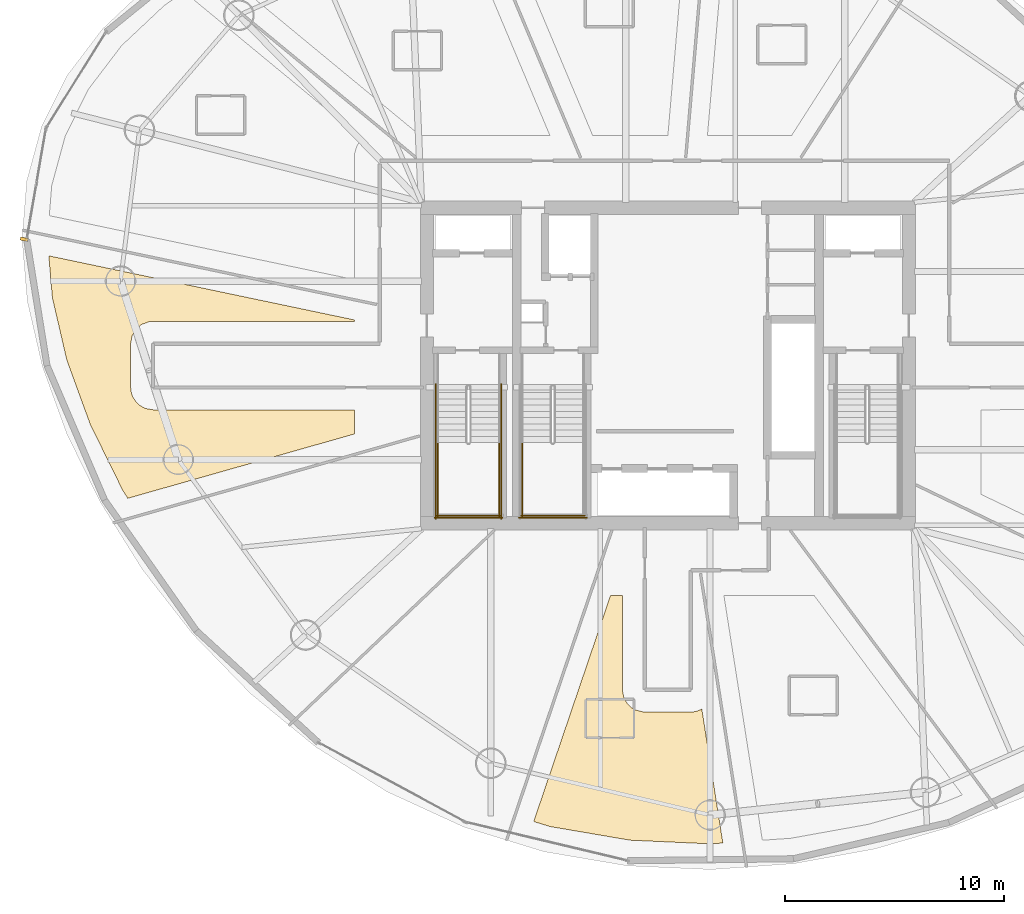
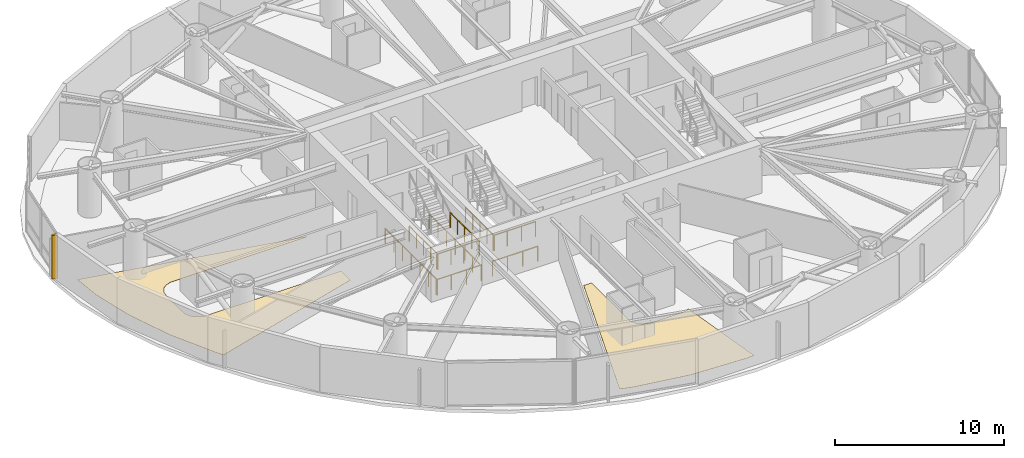
# One storey, part 19 of 22: 9 railings, 2 coverings, 1 shading device.
"""IFC4 building model written with IfcOpenShell, lengths in metres."""

from ifc_helpers import new_model, si_unit, direction, frame, origin, origin_2d, place, context, subcontext, project, spatial, polyline, rectangle, circle, outline, extrude, material, layer, layer_set, type_object, element, save


model = new_model("IFC4")

# Units and contexts
model_context = context("Model", 3, precision=1e-05, world=origin(), true_north=direction((0.0, 1.0)))
body_context = subcontext(model_context, "Body", "Model", "MODEL_VIEW")
ifc_project = project(units=[si_unit("LENGTHUNIT", "METRE"), si_unit("AREAUNIT", "SQUARE_METRE"), si_unit("VOLUMEUNIT", "CUBIC_METRE"), si_unit("PLANEANGLEUNIT", "RADIAN"), si_unit("MASSUNIT", "GRAM", prefix="KILO")], contexts=[model_context])

# Site, building, storey
site_placement = place(None, origin())
site = spatial("IfcSite", under=ifc_project, at=site_placement, CompositionType="ELEMENT")
building_placement = place(site_placement, origin())
building = spatial("IfcBuilding", under=site, at=building_placement, Name="Bramvorn Convention Spire", CompositionType="ELEMENT")
storey_placement = place(building_placement, frame((0.0, 0.0, 116.800048828125)))
storey = spatial("IfcBuildingStorey", under=building, at=storey_placement, Name="L28", CompositionType="ELEMENT", Elevation=116.800048828125)

# Coverings
ifc_material_1 = material(Name="Solution-Dyed Wool Broadloom Hospitality Carpet", Category="textile")
ifc_layer = layer(ifc_material_1, 0.014892578125)
ifc_layer_set = layer_set([ifc_layer], Name="Solution-Dyed Wool Broadloom Hospitality Carpet - FLR-CARPET-15")
covering_type = type_object("IfcCoveringType", Name="FLR-CARPET-15", PredefinedType="FLOORING", material=ifc_layer_set)
covering_1_placement = place(storey_placement, origin())
element("IfcCovering", 1, at=covering_1_placement, inside=storey, type_object=covering_type, Name="Hotel Suite 2807 wool broadloom carpet", PredefinedType="FLOORING", context=body_context, shape_type="SweptSolid", body=[
    extrude(outline(polyline([(9.90966796875, 29.076904296875), (10.56494140625, 26.252685546875), (11.635986328125, 23.311279296875), (13.109130859375, 20.319091796875), (13.347900390625, 19.938232421875), (23.699951171875, 22.876708984375), (23.699951171875, 23.97998046875), (14.5, 23.97998046875), (14.15087890625, 24.041748046875), (13.897216796875, 24.17724609375), (13.740478515625, 24.319580078125), (13.58056640625, 24.55859375), (13.50927734375, 24.7578125), (13.47998046875, 25.0), (13.47998046875, 27.0), (13.541748046875, 27.34912109375), (13.740478515625, 27.680419921875), (13.980712890625, 27.877685546875), (14.356201171875, 28.009765625), (23.699951171875, 28.02001953125), (23.699951171875, 28.079833984375), (9.7421875, 31.007568359375), (9.90966796875, 29.076904296875)])), origin(), (0.0, 0.0, 1.0), 0.014892578125),
])
covering_2_placement = place(storey_placement, origin())
element("IfcCovering", 2, at=covering_2_placement, inside=storey, type_object=covering_type, Name="Hotel Suite 2810 wool broadloom carpet", PredefinedType="FLOORING", context=body_context, shape_type="SweptSolid", body=[
    extrude(outline(polyline([(39.958740234375, 4.16455078125), (40.51123046875, 4.203369140625), (39.552001953125, 10.31298828125), (39.303466796875, 10.212158203125), (39.10595703125, 10.181640625), (36.89404296875, 10.181640625), (36.508544921875, 10.280517578125), (36.337646484375, 10.384521484375), (36.134521484375, 10.587646484375), (35.98779296875, 10.862060546875), (35.93115234375, 11.15576171875), (35.929931640625, 15.5), (35.38232421875, 15.5), (31.877197265625, 5.185302734375), (32.624755859375, 4.955078125), (36.26904296875, 4.332763671875), (39.958740234375, 4.16455078125)])), origin(), (0.0, 0.0, 1.0), 0.014892578125),
])

# Railings
ifc_material_2 = material(Name="Painted Steel Balustrade & Guardrail", Category="steel")
railing_type = type_object("IfcRailingType", Name="RL-STAIR-GUARD-1100", PredefinedType="GUARDRAIL", material=ifc_material_2)
for number, where, name in (
    (3, (27.5, 22.485107421875, 1.75), "L28 ST1 stair guard 3"),
    (4, (30.300048828125, 22.485107421875, 1.75), "L28 ST1 stair guard 4"),
):
    element("IfcRailing", number, at=place(storey_placement, frame(where)), inside=storey, type_object=railing_type, Name=name, PredefinedType="GUARDRAIL", context=body_context, shape_type="SweptSolid", body=[
        extrude(circle(Radius=0.02392578125, at=origin_2d()), frame((0.0, 0.0, 1.076171875), z_axis=(0.0, -1.0, 0.0), x_axis=(1.0, 0.0, 0.0)), (0.0, 0.0, 1.0), 3.385009765625),
        extrude(circle(Radius=0.02099609375, at=origin_2d()), origin(), (0.0, 0.0, 1.0), 1.052001953125),
        extrude(circle(Radius=0.02099609375, at=origin_2d()), frame((0.0, -0.84619140625, 0.0)), (0.0, 0.0, 1.0), 1.052001953125),
        extrude(circle(Radius=0.02099609375, at=origin_2d()), frame((0.0, -1.6923828125, 0.0)), (0.0, 0.0, 1.0), 1.052001953125),
        extrude(circle(Radius=0.02099609375, at=origin_2d()), frame((0.0, -2.538818359375, 0.0)), (0.0, 0.0, 1.0), 1.052001953125),
        extrude(circle(Radius=0.02099609375, at=origin_2d()), frame((0.0, -3.385009765625, 0.0)), (0.0, 0.0, 1.0), 1.052001953125),
    ])
railing_1_placement = place(storey_placement, frame((27.449951171875, 19.14990234375, 1.75)))
element("IfcRailing", 5, at=railing_1_placement, inside=storey, type_object=railing_type, Name="L28 ST1 stair guard 5", PredefinedType="GUARDRAIL", context=body_context, shape_type="SweptSolid", body=[
    extrude(circle(Radius=0.02392578125, at=origin_2d()), frame((0.0, 0.0, 1.076171875), z_axis=(1.0, 0.0, 0.0), x_axis=(0.0, 1.0, 0.0)), (0.0, 0.0, 1.0), 2.900146484375),
    extrude(circle(Radius=0.02099609375, at=origin_2d()), origin(), (0.0, 0.0, 1.0), 1.052001953125),
    extrude(circle(Radius=0.02099609375, at=origin_2d()), frame((0.966796875, 0.0, 0.0)), (0.0, 0.0, 1.0), 1.052001953125),
    extrude(circle(Radius=0.02099609375, at=origin_2d()), frame((1.933349609375, 0.0, 0.0)), (0.0, 0.0, 1.0), 1.052001953125),
    extrude(circle(Radius=0.02099609375, at=origin_2d()), frame((2.900146484375, 0.0, 0.0)), (0.0, 0.0, 1.0), 1.052001953125),
])
for number, where, name in (
    (6, (27.39990234375, 25.14990234375, 0.0), "L28 ST1 stair guard 10"),
    (7, (30.39990234375, 25.14990234375, 0.0), "L28 ST1 stair guard 11"),
):
    element("IfcRailing", number, at=place(storey_placement, frame(where)), inside=storey, type_object=railing_type, Name=name, PredefinedType="GUARDRAIL", context=body_context, shape_type="SweptSolid", body=[
        extrude(circle(Radius=0.02392578125, at=origin_2d()), frame((0.0, 0.0, 1.076171875), z_axis=(0.0, -1.0, 0.0), x_axis=(1.0, 0.0, 0.0)), (0.0, 0.0, 1.0), 6.14990234375),
        extrude(circle(Radius=0.02099609375, at=origin_2d()), origin(), (0.0, 0.0, 1.0), 1.052001953125),
        extrude(circle(Radius=0.02099609375, at=origin_2d()), frame((0.0, -1.02490234375, 0.0)), (0.0, 0.0, 1.0), 1.052001953125),
        extrude(circle(Radius=0.02099609375, at=origin_2d()), frame((0.0, -2.050048828125, 0.0)), (0.0, 0.0, 1.0), 1.052001953125),
        extrude(circle(Radius=0.02099609375, at=origin_2d()), frame((0.0, -3.074951171875, 0.0)), (0.0, 0.0, 1.0), 1.052001953125),
        extrude(circle(Radius=0.02099609375, at=origin_2d()), frame((0.0, -4.099853515625, 0.0)), (0.0, 0.0, 1.0), 1.052001953125),
        extrude(circle(Radius=0.02099609375, at=origin_2d()), frame((0.0, -5.125, 0.0)), (0.0, 0.0, 1.0), 1.052001953125),
        extrude(circle(Radius=0.02099609375, at=origin_2d()), frame((0.0, -6.14990234375, 0.0)), (0.0, 0.0, 1.0), 1.052001953125),
    ])
railing_2_placement = place(storey_placement, frame((27.35009765625, 19.050048828125, 0.0)))
element("IfcRailing", 8, at=railing_2_placement, inside=storey, type_object=railing_type, Name="L28 ST1 stair guard 12", PredefinedType="GUARDRAIL", context=body_context, shape_type="SweptSolid", body=[
    extrude(circle(Radius=0.02392578125, at=origin_2d()), frame((0.0, 0.0, 1.076171875), z_axis=(1.0, 0.0, 0.0), x_axis=(0.0, 1.0, 0.0)), (0.0, 0.0, 1.0), 3.099853515625),
    extrude(circle(Radius=0.02099609375, at=origin_2d()), origin(), (0.0, 0.0, 1.0), 1.052001953125),
    extrude(circle(Radius=0.02099609375, at=origin_2d()), frame((1.033203125, 0.0, 0.0)), (0.0, 0.0, 1.0), 1.052001953125),
    extrude(circle(Radius=0.02099609375, at=origin_2d()), frame((2.066650390625, 0.0, 0.0)), (0.0, 0.0, 1.0), 1.052001953125),
    extrude(circle(Radius=0.02099609375, at=origin_2d()), frame((3.099853515625, 0.0, 0.0)), (0.0, 0.0, 1.0), 1.052001953125),
])
railing_3_placement = place(storey_placement, frame((31.35009765625, 22.485107421875, 1.75)))
element("IfcRailing", 9, at=railing_3_placement, inside=storey, type_object=railing_type, Name="L28 ST3 stair guard 3", PredefinedType="GUARDRAIL", context=body_context, shape_type="SweptSolid", body=[
    extrude(circle(Radius=0.02392578125, at=origin_2d()), frame((0.0, 0.0, 1.076171875), z_axis=(0.0, -1.0, 0.0), x_axis=(1.0, 0.0, 0.0)), (0.0, 0.0, 1.0), 3.385009765625),
    extrude(circle(Radius=0.02099609375, at=origin_2d()), origin(), (0.0, 0.0, 1.0), 1.052001953125),
    extrude(circle(Radius=0.02099609375, at=origin_2d()), frame((0.0, -0.84619140625, 0.0)), (0.0, 0.0, 1.0), 1.052001953125),
    extrude(circle(Radius=0.02099609375, at=origin_2d()), frame((0.0, -1.6923828125, 0.0)), (0.0, 0.0, 1.0), 1.052001953125),
    extrude(circle(Radius=0.02099609375, at=origin_2d()), frame((0.0, -2.538818359375, 0.0)), (0.0, 0.0, 1.0), 1.052001953125),
    extrude(circle(Radius=0.02099609375, at=origin_2d()), frame((0.0, -3.385009765625, 0.0)), (0.0, 0.0, 1.0), 1.052001953125),
])
railing_4_placement = place(storey_placement, frame((31.300048828125, 19.14990234375, 1.75)))
element("IfcRailing", 10, at=railing_4_placement, inside=storey, type_object=railing_type, Name="L28 ST3 stair guard 5", PredefinedType="GUARDRAIL", context=body_context, shape_type="SweptSolid", body=[
    extrude(circle(Radius=0.02392578125, at=origin_2d()), frame((0.0, 0.0, 1.076171875), z_axis=(1.0, 0.0, 0.0), x_axis=(0.0, 1.0, 0.0)), (0.0, 0.0, 1.0), 2.89990234375),
    extrude(circle(Radius=0.02099609375, at=origin_2d()), origin(), (0.0, 0.0, 1.0), 1.052001953125),
    extrude(circle(Radius=0.02099609375, at=origin_2d()), frame((0.966552734375, 0.0, 0.0)), (0.0, 0.0, 1.0), 1.052001953125),
    extrude(circle(Radius=0.02099609375, at=origin_2d()), frame((1.933349609375, 0.0, 0.0)), (0.0, 0.0, 1.0), 1.052001953125),
    extrude(circle(Radius=0.02099609375, at=origin_2d()), frame((2.89990234375, 0.0, 0.0)), (0.0, 0.0, 1.0), 1.052001953125),
])
railing_5_placement = place(storey_placement, frame((31.199951171875, 19.050048828125, 0.0)))
element("IfcRailing", 11, at=railing_5_placement, inside=storey, type_object=railing_type, Name="L28 ST3 stair guard 12", PredefinedType="GUARDRAIL", context=body_context, shape_type="SweptSolid", body=[
    extrude(circle(Radius=0.02392578125, at=origin_2d()), frame((0.0, 0.0, 1.076171875), z_axis=(1.0, 0.0, 0.0), x_axis=(0.0, 1.0, 0.0)), (0.0, 0.0, 1.0), 3.10009765625),
    extrude(circle(Radius=0.02099609375, at=origin_2d()), origin(), (0.0, 0.0, 1.0), 1.052001953125),
    extrude(circle(Radius=0.02099609375, at=origin_2d()), frame((1.033447265625, 0.0, 0.0)), (0.0, 0.0, 1.0), 1.052001953125),
    extrude(circle(Radius=0.02099609375, at=origin_2d()), frame((2.066650390625, 0.0, 0.0)), (0.0, 0.0, 1.0), 1.052001953125),
    extrude(circle(Radius=0.02099609375, at=origin_2d()), frame((3.10009765625, 0.0, 0.0)), (0.0, 0.0, 1.0), 1.052001953125),
])

# Shading device
ifc_material_3 = material(Name="Extruded Champagne Bronze Aluminium Lancet Fin", Category="aluminium")
shading_device_type = type_object("IfcShadingDeviceType", Name="SHD-FIN-LANCET", PredefinedType="SHUTTER", material=ifc_material_3)
shading_device_placement = place(storey_placement, frame((8.618408203125, 31.76220703125, 0.0498046875), z_axis=(0.0, 0.0, 1.0), x_axis=(-0.981306150888, 0.192453210495, 0.0)))
element("IfcShadingDevice", 12, at=shading_device_placement, inside=storey, type_object=shading_device_type, Name="L28 Gothic bronze wind-corner fin 13", PredefinedType="SHUTTER", context=body_context, shape_type="SweptSolid", body=[
    extrude(rectangle(XDim=0.360107421875, YDim=0.139892578125, at=origin_2d()), origin(), (0.0, 0.0, 1.0), 3.159912109375),
])

save(model, "model.ifc")
